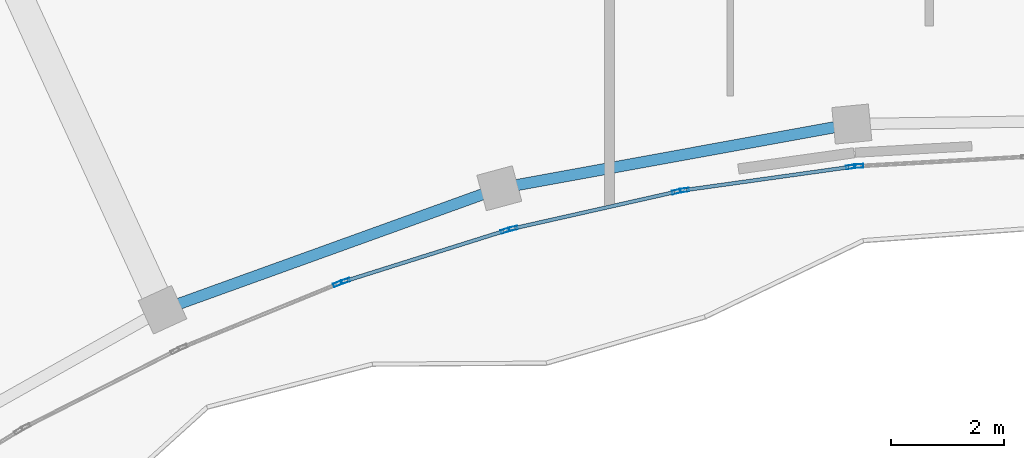
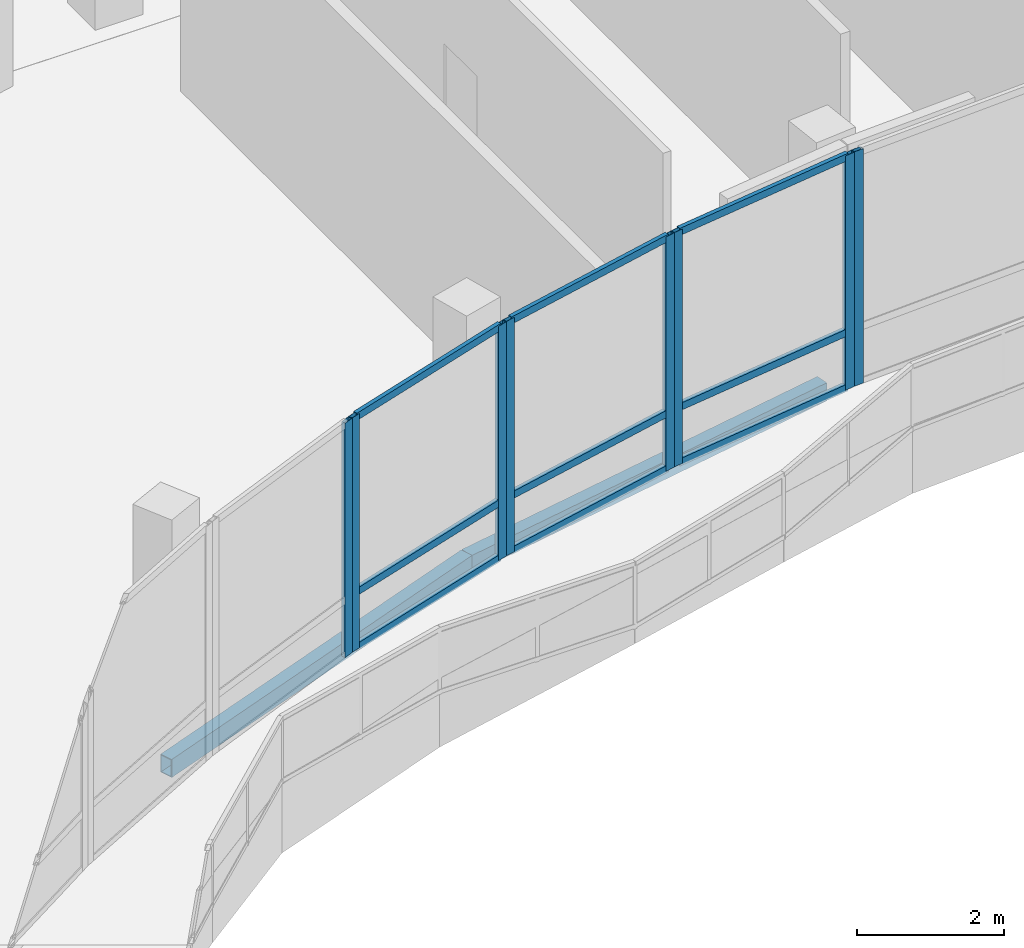
# One storey, part 68 of 184: 17 members, 2 beams, 5 elements without a shape of their own.
"""IFC4 building model written with IfcOpenShell, lengths in metres."""

from ifc_helpers import new_model, si_unit, direction, frame, origin, origin_2d, place, context, subcontext, project, spatial, hollow_rectangle, extrude, material, material_profile, profile_set, type_object, element, aggregate, save


model = new_model("IFC4")

# Units and contexts
model_context = context("Model", 3, precision=1e-05, world=origin(), true_north=direction((0.0, 1.0)))
body_context = subcontext(model_context, "Body", "Model", "MODEL_VIEW")
ifc_project = project(units=[si_unit("LENGTHUNIT", "METRE"), si_unit("AREAUNIT", "SQUARE_METRE"), si_unit("VOLUMEUNIT", "CUBIC_METRE"), si_unit("PLANEANGLEUNIT", "RADIAN"), si_unit("MASSUNIT", "GRAM", prefix="KILO")], contexts=[model_context])

# Site, building, storey
site_placement = place(None, origin())
site = spatial("IfcSite", under=ifc_project, at=site_placement, CompositionType="ELEMENT")
building_placement = place(site_placement, origin())
building = spatial("IfcBuilding", under=site, at=building_placement, Name="Selatvlak General Hospital", CompositionType="ELEMENT")
storey_placement = place(building_placement, frame((0.0, 0.0, 15.0)))
storey = spatial("IfcBuildingStorey", under=building, at=storey_placement, Name="L03", CompositionType="ELEMENT", Elevation=15.0)

# Beams
ifc_material_1 = material(Name="Steel S355", Category="steel")
ifc_material_profile_1 = material_profile(ifc_material_1, hollow_rectangle(XDim=0.199951171875, YDim=0.300048828125, WallThickness=0.011962890625, at=origin_2d()), Name="RHS 300x200x12")
ifc_profile_set_1 = profile_set([ifc_material_profile_1], Name="Steel S355")
beam_type = type_object("IfcBeamType", Name="BM-SP3", PredefinedType="SPANDREL", material=ifc_profile_set_1)
beam_1_placement = place(storey_placement, frame((124.083984375, 51.281005859375, -0.489990234375), z_axis=(0.94065259152, 0.339371038933, 0.0), x_axis=(-0.339371038933, 0.94065259152, 0.0)))
element("IfcBeam", 1, at=beam_1_placement, inside=storey, type_object=beam_type, Name="Beam BMR-L03-1502", PredefinedType="SPANDREL", context=body_context, shape_type="SweptSolid", body=[
    extrude(hollow_rectangle(XDim=0.199951171875, YDim=0.300048828125, WallThickness=0.011962890625, at=origin_2d()), origin(), (0.0, 0.0, 1.0), 6.341552734375),
])
beam_2_placement = place(storey_placement, frame((130.049072265625, 53.43310546875, -0.489990234375), z_axis=(0.98381754343, 0.179173215743, 0.0), x_axis=(-0.179173215743, 0.98381754343, 0.0)))
element("IfcBeam", 2, at=beam_2_placement, inside=storey, type_object=beam_type, Name="Beam BMR-L03-1503", PredefinedType="SPANDREL", context=body_context, shape_type="SweptSolid", body=[
    extrude(hollow_rectangle(XDim=0.199951171875, YDim=0.300048828125, WallThickness=0.011962890625, at=origin_2d()), origin(), (0.0, 0.0, 1.0), 6.345703125),
])

# Curtain wall, member
ifc_material_2 = material(Name="Solar-control Low-E double glazing", Category="glass")
curtain_wall_type_1 = type_object("IfcCurtainWallType", Name="CW-CW-01", PredefinedType="USERDEFINED", material=ifc_material_2)
curtain_wall_1_placement = place(storey_placement, origin())
curtain_wall_1 = element("IfcCurtainWall", 3, at=curtain_wall_1_placement, inside=storey, type_object=curtain_wall_type_1, Name="Glazed facade curtain wall CW-L03-0405", ObjectType="UNITISED CURTAIN WALL", PredefinedType="USERDEFINED")
ifc_material_3 = material(Name="Dark anodised aluminium mullion", Category="aluminium")
ifc_material_profile_2 = material_profile(ifc_material_3, hollow_rectangle(XDim=0.06494140625, YDim=0.159912109375, WallThickness=0.00390625, at=origin_2d()), Name="AL-MUL 65x160x4")
ifc_profile_set_2 = profile_set([ifc_material_profile_2], Name="Dark anodised aluminium mullion")
member_type_1 = type_object("IfcMemberType", Name="CWM-01", PredefinedType="MULLION", material=ifc_profile_set_2)
member_1_placement = place(storey_placement, frame((136.41552734375, 53.826904296875, 0.0), z_axis=(0.0, 0.0, 1.0), x_axis=(0.055159032792, -0.998477581672, 0.0)))
member_1 = element("IfcMember", 4, at=member_1_placement, type_object=member_type_1, Name="CW-01 mullion 2", PredefinedType="MULLION", context=body_context, shape_type="SweptSolid", body=[
    extrude(hollow_rectangle(XDim=0.06494140625, YDim=0.159912109375, WallThickness=0.00390625, at=origin_2d()), origin(), (0.0, 0.0, 1.0), 3.89501953125),
])
aggregate(curtain_wall_1, [member_1])

# Curtain wall, members
curtain_wall_type_2 = type_object("IfcCurtainWallType", Name="CW-CW-02", PredefinedType="USERDEFINED", material=ifc_material_2)
curtain_wall_2_placement = place(storey_placement, origin())
curtain_wall_2 = element("IfcCurtainWall", 5, at=curtain_wall_2_placement, inside=storey, type_object=curtain_wall_type_2, Name="Glazed facade curtain wall CW-L03-0406", ObjectType="UNITISED CURTAIN WALL", PredefinedType="USERDEFINED")
member_2_placement = place(storey_placement, frame((136.270751953125, 53.810546875, 0.0), z_axis=(0.0, 0.0, 1.0), x_axis=(0.138421573138, -0.990373398315, 0.0)))
member_2 = element("IfcMember", 6, at=member_2_placement, type_object=member_type_1, Name="CW-02 mullion 1", PredefinedType="MULLION", context=body_context, shape_type="SweptSolid", body=[
    extrude(hollow_rectangle(XDim=0.06494140625, YDim=0.159912109375, WallThickness=0.00390625, at=origin_2d()), origin(), (0.0, 0.0, 1.0), 3.89501953125),
])
member_3_placement = place(storey_placement, frame((133.330078125, 53.3994140625, 0.0), z_axis=(0.0, 0.0, 1.0), x_axis=(0.138421573138, -0.990373398315, 0.0)))
member_3 = element("IfcMember", 7, at=member_3_placement, type_object=member_type_1, Name="CW-02 mullion 2", PredefinedType="MULLION", context=body_context, shape_type="SweptSolid", body=[
    extrude(hollow_rectangle(XDim=0.06494140625, YDim=0.159912109375, WallThickness=0.00390625, at=origin_2d()), origin(), (0.0, 0.0, 1.0), 3.89501953125),
])

curtain_wall_3_placement = place(storey_placement, origin())
curtain_wall_3 = element("IfcCurtainWall", 8, at=curtain_wall_3_placement, inside=storey, type_object=curtain_wall_type_1, Name="Glazed facade curtain wall CW-L03-0407", ObjectType="UNITISED CURTAIN WALL", PredefinedType="USERDEFINED")
member_4_placement = place(storey_placement, frame((133.187255859375, 53.371826171875, 0.0), z_axis=(0.0, 0.0, 1.0), x_axis=(0.219653455874, -0.975577961684, 0.0)))
member_4 = element("IfcMember", 9, at=member_4_placement, type_object=member_type_1, Name="CW-01 mullion 1", PredefinedType="MULLION", context=body_context, shape_type="SweptSolid", body=[
    extrude(hollow_rectangle(XDim=0.06494140625, YDim=0.159912109375, WallThickness=0.00390625, at=origin_2d()), origin(), (0.0, 0.0, 1.0), 3.89501953125),
])
member_5_placement = place(storey_placement, frame((130.292724609375, 52.72021484375, 0.0), z_axis=(0.0, 0.0, 1.0), x_axis=(0.219653455874, -0.975577961684, 0.0)))
member_5 = element("IfcMember", 10, at=member_5_placement, type_object=member_type_1, Name="CW-01 mullion 2", PredefinedType="MULLION", context=body_context, shape_type="SweptSolid", body=[
    extrude(hollow_rectangle(XDim=0.06494140625, YDim=0.159912109375, WallThickness=0.00390625, at=origin_2d()), origin(), (0.0, 0.0, 1.0), 3.89501953125),
])

curtain_wall_4_placement = place(storey_placement, origin())
curtain_wall_4 = element("IfcCurtainWall", 11, at=curtain_wall_4_placement, inside=storey, type_object=curtain_wall_type_2, Name="Glazed facade curtain wall CW-L03-0408", ObjectType="UNITISED CURTAIN WALL", PredefinedType="USERDEFINED")
member_6_placement = place(storey_placement, frame((130.153076171875, 52.68115234375, 0.0), z_axis=(0.0, 0.0, 1.0), x_axis=(0.300246961422, -0.953861500511, 0.0)))
member_6 = element("IfcMember", 12, at=member_6_placement, type_object=member_type_1, Name="CW-02 mullion 1", PredefinedType="MULLION", context=body_context, shape_type="SweptSolid", body=[
    extrude(hollow_rectangle(XDim=0.06494140625, YDim=0.159912109375, WallThickness=0.00390625, at=origin_2d()), origin(), (0.0, 0.0, 1.0), 3.89501953125),
])
member_7_placement = place(storey_placement, frame((127.323974609375, 51.790771484375, 0.0), z_axis=(0.0, 0.0, 1.0), x_axis=(0.300246961422, -0.953861500511, 0.0)))
member_7 = element("IfcMember", 13, at=member_7_placement, type_object=member_type_1, Name="CW-02 mullion 2", PredefinedType="MULLION", context=body_context, shape_type="SweptSolid", body=[
    extrude(hollow_rectangle(XDim=0.06494140625, YDim=0.159912109375, WallThickness=0.00390625, at=origin_2d()), origin(), (0.0, 0.0, 1.0), 3.89501953125),
])

# Curtain wall, member
curtain_wall_5_placement = place(storey_placement, origin())
curtain_wall_5 = element("IfcCurtainWall", 14, at=curtain_wall_5_placement, inside=storey, type_object=curtain_wall_type_1, Name="Glazed facade curtain wall CW-L03-0409", ObjectType="UNITISED CURTAIN WALL", PredefinedType="USERDEFINED")
member_8_placement = place(storey_placement, frame((127.18896484375, 51.73974609375, 0.0), z_axis=(0.0, 0.0, 1.0), x_axis=(0.377977773903, -0.925814669594, 0.0)))
member_8 = element("IfcMember", 15, at=member_8_placement, type_object=member_type_1, Name="CW-01 mullion 1", PredefinedType="MULLION", context=body_context, shape_type="SweptSolid", body=[
    extrude(hollow_rectangle(XDim=0.06494140625, YDim=0.159912109375, WallThickness=0.00390625, at=origin_2d()), origin(), (0.0, 0.0, 1.0), 3.89501953125),
])
aggregate(curtain_wall_5, [member_8])

# Member
ifc_material_profile_3 = material_profile(ifc_material_3, hollow_rectangle(XDim=0.06494140625, YDim=0.1201171875, WallThickness=0.00390625, at=origin_2d()), Name="AL-TRN 65x120x4")
ifc_profile_set_3 = profile_set([ifc_material_profile_3], Name="Dark anodised aluminium mullion")
member_type_2 = type_object("IfcMemberType", Name="CWT-01", PredefinedType="USERDEFINED", material=ifc_profile_set_3)
member_9_placement = place(storey_placement, frame((136.238525390625, 53.805908203125, 0.032470703125), z_axis=(-0.990380261948, -0.138372456597, 0.0), x_axis=(0.138372456597, -0.990380261948, 0.0)))
member_9 = element("IfcMember", 16, at=member_9_placement, type_object=member_type_2, Name="CW-02 transom 1.1", ObjectType="TRANSOM", PredefinedType="USERDEFINED", context=body_context, shape_type="SweptSolid", body=[
    extrude(hollow_rectangle(XDim=0.06494140625, YDim=0.1201171875, WallThickness=0.00390625, at=origin_2d()), origin(), (0.0, 0.0, 1.0), 2.904052734375),
])

member_10_placement = place(storey_placement, frame((136.238525390625, 53.805908203125, 0.949951171875), z_axis=(-0.990380261948, -0.138372456597, 0.0), x_axis=(0.138372456597, -0.990380261948, 0.0)))
member_10 = element("IfcMember", 17, at=member_10_placement, type_object=member_type_2, Name="CW-02 transom 1.2", ObjectType="TRANSOM", PredefinedType="USERDEFINED", context=body_context, shape_type="SweptSolid", body=[
    extrude(hollow_rectangle(XDim=0.06494140625, YDim=0.1201171875, WallThickness=0.00390625, at=origin_2d()), origin(), (0.0, 0.0, 1.0), 2.904052734375),
])

member_11_placement = place(storey_placement, frame((136.238525390625, 53.805908203125, 3.862548828125), z_axis=(-0.990380261948, -0.138372456597, 0.0), x_axis=(0.138372456597, -0.990380261948, 0.0)))
member_11 = element("IfcMember", 18, at=member_11_placement, type_object=member_type_2, Name="CW-02 transom 1.3", ObjectType="TRANSOM", PredefinedType="USERDEFINED", context=body_context, shape_type="SweptSolid", body=[
    extrude(hollow_rectangle(XDim=0.06494140625, YDim=0.1201171875, WallThickness=0.00390625, at=origin_2d()), origin(), (0.0, 0.0, 1.0), 2.904052734375),
])

aggregate(curtain_wall_2, [member_2, member_3, member_9, member_10, member_11])

member_12_placement = place(storey_placement, frame((133.155517578125, 53.36474609375, 0.032470703125), z_axis=(-0.975575511541, -0.219664337757, 0.0), x_axis=(0.219664337757, -0.975575511541, 0.0)))
member_12 = element("IfcMember", 19, at=member_12_placement, type_object=member_type_2, Name="CW-01 transom 1.1", ObjectType="TRANSOM", PredefinedType="USERDEFINED", context=body_context, shape_type="SweptSolid", body=[
    extrude(hollow_rectangle(XDim=0.06494140625, YDim=0.1201171875, WallThickness=0.00390625, at=origin_2d()), origin(), (0.0, 0.0, 1.0), 2.90185546875),
])

member_13_placement = place(storey_placement, frame((133.155517578125, 53.36474609375, 0.949951171875), z_axis=(-0.975575511541, -0.219664337757, 0.0), x_axis=(0.219664337757, -0.975575511541, 0.0)))
member_13 = element("IfcMember", 20, at=member_13_placement, type_object=member_type_2, Name="CW-01 transom 1.2", ObjectType="TRANSOM", PredefinedType="USERDEFINED", context=body_context, shape_type="SweptSolid", body=[
    extrude(hollow_rectangle(XDim=0.06494140625, YDim=0.1201171875, WallThickness=0.00390625, at=origin_2d()), origin(), (0.0, 0.0, 1.0), 2.90185546875),
])

member_14_placement = place(storey_placement, frame((133.155517578125, 53.36474609375, 3.862548828125), z_axis=(-0.975575511541, -0.219664337757, 0.0), x_axis=(0.219664337757, -0.975575511541, 0.0)))
member_14 = element("IfcMember", 21, at=member_14_placement, type_object=member_type_2, Name="CW-01 transom 1.3", ObjectType="TRANSOM", PredefinedType="USERDEFINED", context=body_context, shape_type="SweptSolid", body=[
    extrude(hollow_rectangle(XDim=0.06494140625, YDim=0.1201171875, WallThickness=0.00390625, at=origin_2d()), origin(), (0.0, 0.0, 1.0), 2.90185546875),
])

aggregate(curtain_wall_3, [member_4, member_5, member_12, member_13, member_14])

member_15_placement = place(storey_placement, frame((130.1220703125, 52.67138671875, 0.032470703125), z_axis=(-0.95387603128, -0.300200794386, 0.0), x_axis=(0.300200794386, -0.95387603128, 0.0)))
member_15 = element("IfcMember", 22, at=member_15_placement, type_object=member_type_2, Name="CW-02 transom 1.1", ObjectType="TRANSOM", PredefinedType="USERDEFINED", context=body_context, shape_type="SweptSolid", body=[
    extrude(hollow_rectangle(XDim=0.06494140625, YDim=0.1201171875, WallThickness=0.00390625, at=origin_2d()), origin(), (0.0, 0.0, 1.0), 2.90087890625),
])

member_16_placement = place(storey_placement, frame((130.1220703125, 52.67138671875, 0.949951171875), z_axis=(-0.95387603128, -0.300200794386, 0.0), x_axis=(0.300200794386, -0.95387603128, 0.0)))
member_16 = element("IfcMember", 23, at=member_16_placement, type_object=member_type_2, Name="CW-02 transom 1.2", ObjectType="TRANSOM", PredefinedType="USERDEFINED", context=body_context, shape_type="SweptSolid", body=[
    extrude(hollow_rectangle(XDim=0.06494140625, YDim=0.1201171875, WallThickness=0.00390625, at=origin_2d()), origin(), (0.0, 0.0, 1.0), 2.90087890625),
])

member_17_placement = place(storey_placement, frame((130.1220703125, 52.67138671875, 3.862548828125), z_axis=(-0.95387603128, -0.300200794386, 0.0), x_axis=(0.300200794386, -0.95387603128, 0.0)))
member_17 = element("IfcMember", 24, at=member_17_placement, type_object=member_type_2, Name="CW-02 transom 1.3", ObjectType="TRANSOM", PredefinedType="USERDEFINED", context=body_context, shape_type="SweptSolid", body=[
    extrude(hollow_rectangle(XDim=0.06494140625, YDim=0.1201171875, WallThickness=0.00390625, at=origin_2d()), origin(), (0.0, 0.0, 1.0), 2.90087890625),
])

aggregate(curtain_wall_4, [member_6, member_7, member_15, member_16, member_17])

save(model, "model.ifc")
